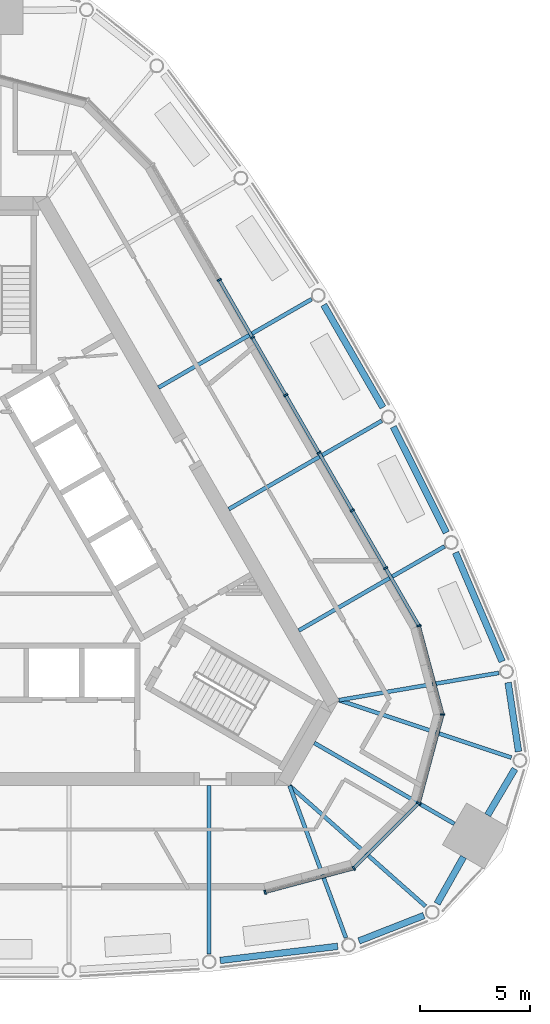
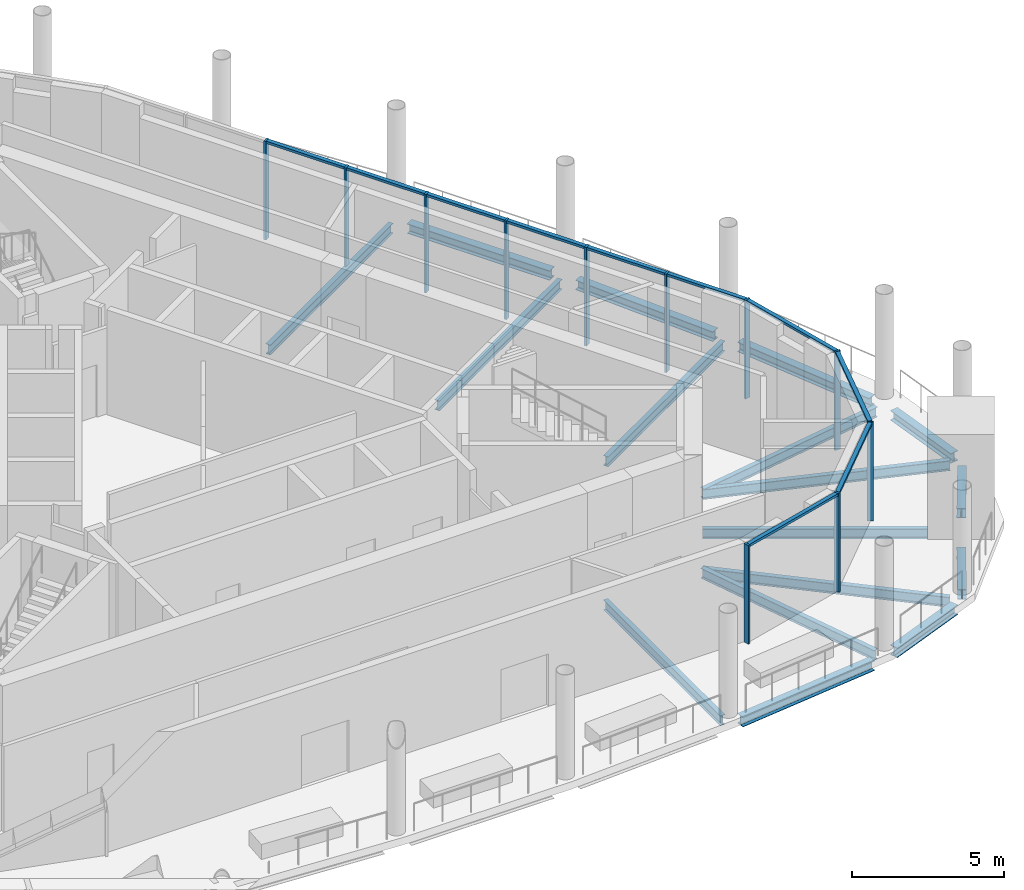
# One storey, part 3 of 15: 21 members, 17 beams, 2 elements without a shape of their own.
"""IFC4 building model written with IfcOpenShell, lengths in metres."""

import ifcopenshell
import ifcopenshell.guid

model = None  # the IFC model being written
_history = None  # IfcOwnerHistory: only IFC2X3 demands one
_inside = {}  # id of a spatial element -> (the spatial element, [elements in it])
_under = {}  # id of a project, library or spatial element -> (it, [spatial elements below it])
_declared = {}  # id of a project -> (the project, [libraries it declares])
_typed = {}  # id of a type object -> (the type object, [elements of that type])
_made_of = {}  # id of a material, layer set ... -> (it, [elements and type objects made of it])


def new_model(schema):
    """Start an empty IFC model of exactly this schema.

    Asked for "IFC4X3", IfcOpenShell would pick the latest addendum, in which some entities
    have other attributes; the version numbers below select the first issue.
    IFC2X3 requires an IfcOwnerHistory on every rooted entity: one is made here for all.
    """
    global model, _history
    if schema == "IFC4X3":
        model = ifcopenshell.file(schema_version=(4, 3, 0, 0))
    else:
        model = ifcopenshell.file(schema=schema)
    _inside.clear()
    _under.clear()
    _declared.clear()
    _typed.clear()
    _made_of.clear()
    _history = None
    if model.schema == "IFC2X3":
        org = make("IfcOrganization", Name="unknown")
        user = make(
            "IfcPersonAndOrganization",
            ThePerson=make("IfcPerson", FamilyName="unknown"),
            TheOrganization=org,
        )
        app = make(
            "IfcApplication",
            ApplicationDeveloper=org,
            Version="unknown",
            ApplicationFullName="unknown",
            ApplicationIdentifier="unknown",
        )
        _history = make(
            "IfcOwnerHistory",
            OwningUser=user,
            OwningApplication=app,
            ChangeAction="ADDED",
            CreationDate=0,
        )
    return model


def make(cls, **values):
    """One entity of the class cls with the attributes given. An attribute that is None is left unset."""
    return model.create_entity(
        cls, **{name: value for name, value in values.items() if value is not None}
    )


def rooted(cls, **values):
    """An entity with a GlobalId (a new one), such as an element, a storey or a relation."""
    return make(cls, GlobalId=ifcopenshell.guid.new(), OwnerHistory=_history, **values)


def si_unit(unit_type, name, prefix=None):
    """IfcSIUnit, for example si_unit("LENGTHUNIT", "METRE", prefix="MILLI")."""
    return make("IfcSIUnit", UnitType=unit_type, Prefix=prefix, Name=name)


def assignment(units):
    """IfcUnitAssignment: the units of a project."""
    return None if units is None else make("IfcUnitAssignment", Units=units)


def point(xyz):
    """IfcCartesianPoint."""
    return None if xyz is None else make("IfcCartesianPoint", Coordinates=xyz)


def direction(xyz):
    """IfcDirection."""
    return None if xyz is None else make("IfcDirection", DirectionRatios=xyz)


def frame(location, z_axis=None, x_axis=None):
    """IfcAxis2Placement3D, a coordinate frame: its origin and axes. An axis left out is left unset."""
    return make(
        "IfcAxis2Placement3D",
        Location=point(location),
        Axis=direction(z_axis),
        RefDirection=direction(x_axis),
    )


def frame_2d(location, x_axis=None):
    """IfcAxis2Placement2D, a coordinate frame in the plane: its origin and x axis."""
    return make(
        "IfcAxis2Placement2D", Location=point(location), RefDirection=direction(x_axis)
    )


def origin():
    """The frame at (0, 0, 0) with its axes left unset."""
    return frame((0.0, 0.0, 0.0))


def origin_2d():
    """The frame at (0, 0) in the plane with its x axis left unset."""
    return frame_2d((0.0, 0.0))


def place(relative_to, where):
    """IfcLocalPlacement: puts the frame where relative to a parent placement (None: the world)."""
    return make(
        "IfcLocalPlacement", PlacementRelTo=relative_to, RelativePlacement=where
    )


def context(
    kind, dimensions, precision=None, world=None, true_north=None, identifier=None
):
    """IfcGeometricRepresentationContext, for example the 3D "Model" context."""
    return make(
        "IfcGeometricRepresentationContext",
        ContextIdentifier=identifier,
        ContextType=kind,
        CoordinateSpaceDimension=dimensions,
        Precision=precision,
        WorldCoordinateSystem=world,
        TrueNorth=true_north,
    )


def subcontext(parent, identifier, kind, view, scale=None):
    """IfcGeometricRepresentationSubContext, for example "Body" below "Model"."""
    return make(
        "IfcGeometricRepresentationSubContext",
        ContextIdentifier=identifier,
        ContextType=kind,
        ParentContext=parent,
        TargetScale=scale,
        TargetView=view,
    )


def project(units=None, contexts=None):
    """IfcProject with its units and contexts."""
    return rooted(
        "IfcProject",
        Name="project",
        RepresentationContexts=contexts,
        UnitsInContext=assignment(units),
    )


def spatial(cls, under=None, at=None, **own):
    """A site, building, storey or space (cls), placed at a placement, below another one or the project."""
    s = rooted(cls, ObjectPlacement=at, **own)
    if under is not None:
        _under.setdefault(under.id(), (under, []))[1].append(s)
    return s


def profile(cls, at=None, kind="AREA", **sizes):
    """A parametric profile (cls). Its sizes go by their IFC names, for example OverallWidth=200.0."""
    return make(cls, ProfileType=kind, Position=at, **sizes)


def rectangle(**sizes):
    """IfcRectangleProfileDef."""
    return profile("IfcRectangleProfileDef", **sizes)


def i_section(**sizes):
    """IfcIShapeProfileDef."""
    return profile("IfcIShapeProfileDef", **sizes)


def extrude(swept, where, along, depth):
    """IfcExtrudedAreaSolid: the profile swept, set in the frame where, extruded along a direction by depth."""
    return make(
        "IfcExtrudedAreaSolid",
        SweptArea=swept,
        Position=where,
        ExtrudedDirection=direction(along),
        Depth=depth,
    )


def shape(context_of_items, identifier, shape_type, items):
    """IfcShapeRepresentation: the items that make up one representation, for example the "Body"."""
    return make(
        "IfcShapeRepresentation",
        ContextOfItems=context_of_items,
        RepresentationIdentifier=identifier,
        RepresentationType=shape_type,
        Items=items,
    )


def material(Name=None, Category=None):
    """IfcMaterial."""
    return make("IfcMaterial", Name=Name, Category=Category)


def material_profile(
    of_material, cross_section, Name=None, Category=None, Priority=None
):
    """IfcMaterialProfile: a cross section and its material."""
    return make(
        "IfcMaterialProfile",
        Name=Name,
        Material=of_material,
        Profile=cross_section,
        Priority=Priority,
        Category=Category,
    )


def profile_set(profiles, Name=None, composite=None):
    """IfcMaterialProfileSet."""
    return make(
        "IfcMaterialProfileSet",
        Name=Name,
        MaterialProfiles=profiles,
        CompositeProfile=composite,
    )


def made_of(thing, what):
    """Note that an element or type object is made of a material, layer set ...; save() writes the relation."""
    if what is not None:
        _made_of.setdefault(what.id(), (what, []))[1].append(thing)
    return thing


def type_object(cls, material=None, **own):
    """A type object (cls), such as IfcWallType, which elements share."""
    return made_of(rooted(cls, **own), material)


def element(
    cls,
    number,
    at=None,
    inside=None,
    cuts=None,
    type_object=None,
    material=None,
    context=None,
    identifier="Body",
    shape_type=None,
    held_by="IfcProductDefinitionShape",
    body=None,
    shapes=None,
    **own,
):
    """One element of the class cls, such as IfcWall. Its Tag is "e" and its number.

    at: its placement. inside: the storey or other place that contains it. cuts: it is an
    opening in that element (IfcRelVoidsElement). A single representation is given by context,
    identifier, shape_type and body (its items); several are given by shapes. held_by: the class
    of the entity that holds the representations. save() writes the other relations.
    """
    e = rooted(cls, Tag="e%d" % number, ObjectPlacement=at, **own)
    if body is not None:
        shapes = [shape(context, identifier, shape_type, body)]
    if shapes is not None:
        e.Representation = make(held_by, Representations=shapes)
    if inside is not None:
        _inside.setdefault(inside.id(), (inside, []))[1].append(e)
    if cuts is not None:
        rooted(
            "IfcRelVoidsElement", RelatingBuildingElement=cuts, RelatedOpeningElement=e
        )
    if type_object is not None:
        _typed.setdefault(type_object.id(), (type_object, []))[1].append(e)
    return made_of(e, material)


def aggregate(whole, parts):
    """IfcRelAggregates: a whole, such as a stair, and the parts it consists of."""
    return rooted("IfcRelAggregates", RelatingObject=whole, RelatedObjects=parts)


def save(model, path):
    """Write the relations noted so far, then the file.

    IfcRelAggregates (storeys below a building ...), IfcRelContainedInSpatialStructure (elements
    in a storey), IfcRelDefinesByType, IfcRelAssociatesMaterial and IfcRelDeclares: one each for
    every whole, place, type object, material and project.
    """
    for whole, parts in _under.values():
        aggregate(whole, parts)
    for where, things in _inside.values():
        rooted(
            "IfcRelContainedInSpatialStructure",
            RelatedElements=things,
            RelatingStructure=where,
        )
    for kind, things in _typed.values():
        rooted("IfcRelDefinesByType", RelatedObjects=things, RelatingType=kind)
    for what, things in _made_of.values():
        rooted("IfcRelAssociatesMaterial", RelatedObjects=things, RelatingMaterial=what)
    for by, libraries in _declared.values():
        rooted("IfcRelDeclares", RelatingContext=by, RelatedDefinitions=libraries)
    model.write(path)


model = new_model("IFC4")

# Units and contexts
model_context = context("Model", 3, precision=1e-05, world=origin(), true_north=direction((0.0, 1.0)))
body_context = subcontext(model_context, "Body", "Model", "MODEL_VIEW")
ifc_project = project(units=[si_unit("LENGTHUNIT", "METRE"), si_unit("AREAUNIT", "SQUARE_METRE"), si_unit("VOLUMEUNIT", "CUBIC_METRE"), si_unit("PLANEANGLEUNIT", "RADIAN"), si_unit("MASSUNIT", "GRAM", prefix="KILO")], contexts=[model_context])

# Site, building, storey
site_placement = place(None, origin())
site = spatial("IfcSite", under=ifc_project, at=site_placement, CompositionType="ELEMENT")
building_placement = place(site_placement, origin())
building = spatial("IfcBuilding", under=site, at=building_placement, Name="Mestral Congress Tower", CompositionType="ELEMENT")
storey_placement = place(building_placement, frame((0.0, 0.0, 327.60009765625)))
storey = spatial("IfcBuildingStorey", under=building, at=storey_placement, Name="L76", CompositionType="ELEMENT", Elevation=327.60009765625)

# Curtain wall, members
ifc_material_1 = material(Name="Glazed ceramic", Category="masonry")
curtain_wall_type = type_object("IfcCurtainWallType", Name="Facade plant louvre screen", PredefinedType="USERDEFINED", material=ifc_material_1)
placement = place(storey_placement, origin())
curtain_wall_1 = element("IfcCurtainWall", 1, at=placement, inside=storey, type_object=curtain_wall_type, Name="Plant louvre screen corner 1", ObjectType="CURTAIN WALL", PredefinedType="USERDEFINED")
ifc_material_2 = material(Name="Anodised aluminium", Category="aluminium")
ifc_material_profile_1 = material_profile(ifc_material_2, rectangle(XDim=0.199951171875, YDim=0.080078125, at=origin_2d()), Name="CW6 mullion 200 x 80")
ifc_profile_set_1 = profile_set([ifc_material_profile_1], Name="Anodised aluminium")
member_type_1 = type_object("IfcMemberType", Name="Facade plant louvre screen mullion", PredefinedType="MULLION", material=ifc_profile_set_1)
member_1_placement = place(storey_placement, frame((12.1376953125, -15.10009765625, 0.0), z_axis=(0.0, 0.0, 1.0), x_axis=(0.258819045103, -0.965925826289, 0.0)))
member_1 = element("IfcMember", 2, at=member_1_placement, type_object=member_type_1, Name="Facade plant louvre screen mullion", PredefinedType="MULLION", context=body_context, shape_type="SweptSolid", body=[
    extrude(rectangle(XDim=0.199951171875, YDim=0.080078125, at=origin_2d()), origin(), (0.0, 0.0, 1.0), 3.949951171875),
])
member_2_placement = place(storey_placement, frame((16.17626953125, -14.017822265625, 0.0), z_axis=(0.0, 0.0, 1.0), x_axis=(0.5, -0.866025403784, 0.0)))
member_2 = element("IfcMember", 3, at=member_2_placement, type_object=member_type_1, Name="Facade plant louvre screen mullion", PredefinedType="MULLION", context=body_context, shape_type="SweptSolid", body=[
    extrude(rectangle(XDim=0.199951171875, YDim=0.080078125, at=origin_2d()), origin(), (0.0, 0.0, 1.0), 3.949951171875),
])
member_3_placement = place(storey_placement, frame((19.142333984375, -11.0517578125, 0.0), z_axis=(0.0, 0.0, 1.0), x_axis=(0.866025403784, -0.5, 0.0)))
member_3 = element("IfcMember", 4, at=member_3_placement, type_object=member_type_1, Name="Facade plant louvre screen mullion", PredefinedType="MULLION", context=body_context, shape_type="SweptSolid", body=[
    extrude(rectangle(XDim=0.199951171875, YDim=0.080078125, at=origin_2d()), origin(), (0.0, 0.0, 1.0), 3.949951171875),
])
member_4_placement = place(storey_placement, frame((20.227783203125, -7.0, 0.0), z_axis=(0.0, 0.0, 1.0), x_axis=(1.0, 0.0, 0.0)))
member_4 = element("IfcMember", 5, at=member_4_placement, type_object=member_type_1, Name="Facade plant louvre screen mullion", PredefinedType="MULLION", context=body_context, shape_type="SweptSolid", body=[
    extrude(rectangle(XDim=0.199951171875, YDim=0.080078125, at=origin_2d()), origin(), (0.0, 0.0, 1.0), 3.949951171875),
])
member_5_placement = place(storey_placement, frame((19.145751953125, -2.96142578125, 0.0), z_axis=(0.0, 0.0, 1.0), x_axis=(0.965925826289, 0.258819045103, 0.0)))
member_5 = element("IfcMember", 6, at=member_5_placement, type_object=member_type_1, Name="Facade plant louvre screen mullion", PredefinedType="MULLION", context=body_context, shape_type="SweptSolid", body=[
    extrude(rectangle(XDim=0.199951171875, YDim=0.080078125, at=origin_2d()), origin(), (0.0, 0.0, 1.0), 3.949951171875),
])

curtain_wall_2 = element("IfcCurtainWall", 7, at=placement, inside=storey, type_object=curtain_wall_type, Name="Plant louvre screen side 2", ObjectType="CURTAIN WALL", PredefinedType="USERDEFINED")
member_6_placement = place(storey_placement, frame((17.628662109375, -0.33349609375, 0.0), z_axis=(0.0, 0.0, 1.0), x_axis=(0.866024531118, 0.500001511499, 0.0)))
member_6 = element("IfcMember", 8, at=member_6_placement, type_object=member_type_1, Name="Facade plant louvre screen mullion", PredefinedType="MULLION", context=body_context, shape_type="SweptSolid", body=[
    extrude(rectangle(XDim=0.199951171875, YDim=0.080078125, at=origin_2d()), origin(), (0.0, 0.0, 1.0), 3.949951171875),
])
member_7_placement = place(storey_placement, frame((16.111328125, 2.294189453125, 0.0), z_axis=(0.0, 0.0, 1.0), x_axis=(0.866024531118, 0.500001511499, 0.0)))
member_7 = element("IfcMember", 9, at=member_7_placement, type_object=member_type_1, Name="Facade plant louvre screen mullion", PredefinedType="MULLION", context=body_context, shape_type="SweptSolid", body=[
    extrude(rectangle(XDim=0.199951171875, YDim=0.080078125, at=origin_2d()), origin(), (0.0, 0.0, 1.0), 3.949951171875),
])
member_8_placement = place(storey_placement, frame((14.59423828125, 4.922119140625, 0.0), z_axis=(0.0, 0.0, 1.0), x_axis=(0.866024531118, 0.500001511499, 0.0)))
member_8 = element("IfcMember", 10, at=member_8_placement, type_object=member_type_1, Name="Facade plant louvre screen mullion", PredefinedType="MULLION", context=body_context, shape_type="SweptSolid", body=[
    extrude(rectangle(XDim=0.199951171875, YDim=0.080078125, at=origin_2d()), origin(), (0.0, 0.0, 1.0), 3.949951171875),
])
member_9_placement = place(storey_placement, frame((13.076904296875, 7.550048828125, 0.0), z_axis=(0.0, 0.0, 1.0), x_axis=(0.866024531118, 0.500001511499, 0.0)))
member_9 = element("IfcMember", 11, at=member_9_placement, type_object=member_type_1, Name="Facade plant louvre screen mullion", PredefinedType="MULLION", context=body_context, shape_type="SweptSolid", body=[
    extrude(rectangle(XDim=0.199951171875, YDim=0.080078125, at=origin_2d()), origin(), (0.0, 0.0, 1.0), 3.949951171875),
])
member_10_placement = place(storey_placement, frame((11.559814453125, 10.177978515625, 0.0), z_axis=(0.0, 0.0, 1.0), x_axis=(0.866024531118, 0.500001511499, 0.0)))
member_10 = element("IfcMember", 12, at=member_10_placement, type_object=member_type_1, Name="Facade plant louvre screen mullion", PredefinedType="MULLION", context=body_context, shape_type="SweptSolid", body=[
    extrude(rectangle(XDim=0.199951171875, YDim=0.080078125, at=origin_2d()), origin(), (0.0, 0.0, 1.0), 3.949951171875),
])
member_11_placement = place(storey_placement, frame((10.04248046875, 12.8056640625, 0.0), z_axis=(0.0, 0.0, 1.0), x_axis=(0.866024531118, 0.500001511499, 0.0)))
member_11 = element("IfcMember", 13, at=member_11_placement, type_object=member_type_1, Name="Facade plant louvre screen mullion", PredefinedType="MULLION", context=body_context, shape_type="SweptSolid", body=[
    extrude(rectangle(XDim=0.199951171875, YDim=0.080078125, at=origin_2d()), origin(), (0.0, 0.0, 1.0), 3.949951171875),
])

# Member
ifc_material_profile_2 = material_profile(ifc_material_2, rectangle(XDim=0.14990234375, YDim=0.10009765625, at=origin_2d()), Name="CW6 transom 150 x 100")
ifc_profile_set_2 = profile_set([ifc_material_profile_2], Name="Anodised aluminium")
member_type_2 = type_object("IfcMemberType", Name="Facade plant louvre screen transom", PredefinedType="USERDEFINED", material=ifc_profile_set_2)
member_12_placement = place(storey_placement, frame((12.17626953125, -15.089599609375, 3.89990234375), z_axis=(0.965932905177, 0.258792624888, 0.0), x_axis=(-0.258792624888, 0.965932905177, 0.0)))
member_12 = element("IfcMember", 14, at=member_12_placement, type_object=member_type_2, Name="Facade plant louvre screen transom", ObjectType="TRANSOM", PredefinedType="USERDEFINED", context=body_context, shape_type="SweptSolid", body=[
    extrude(rectangle(XDim=0.14990234375, YDim=0.10009765625, at=origin_2d()), origin(), (0.0, 0.0, 1.0), 4.100830078125),
])

member_13_placement = place(storey_placement, frame((16.204345703125, -13.989501953125, 3.89990234375), z_axis=(0.707136447306, 0.707077113823, 0.0), x_axis=(-0.707077113823, 0.707136447306, 0.0)))
member_13 = element("IfcMember", 15, at=member_13_placement, type_object=member_type_2, Name="Facade plant louvre screen transom", ObjectType="TRANSOM", PredefinedType="USERDEFINED", context=body_context, shape_type="SweptSolid", body=[
    extrude(rectangle(XDim=0.14990234375, YDim=0.10009765625, at=origin_2d()), origin(), (0.0, 0.0, 1.0), 4.11474609375),
])

member_14_placement = place(storey_placement, frame((19.152587890625, -11.01318359375, 3.89990234375), z_axis=(0.258807262034, 0.965928983476, 0.0), x_axis=(-0.965928983476, 0.258807262034, 0.0)))
member_14 = element("IfcMember", 16, at=member_14_placement, type_object=member_type_2, Name="Facade plant louvre screen transom", ObjectType="TRANSOM", PredefinedType="USERDEFINED", context=body_context, shape_type="SweptSolid", body=[
    extrude(rectangle(XDim=0.14990234375, YDim=0.10009765625, at=origin_2d()), origin(), (0.0, 0.0, 1.0), 4.11474609375),
])

member_15_placement = place(storey_placement, frame((20.217529296875, -6.96142578125, 3.89990234375), z_axis=(-0.258833286133, 0.965922010304, 0.0), x_axis=(-0.965922010304, -0.258833286133, 0.0)))
member_15 = element("IfcMember", 17, at=member_15_placement, type_object=member_type_2, Name="Facade plant louvre screen transom", ObjectType="TRANSOM", PredefinedType="USERDEFINED", context=body_context, shape_type="SweptSolid", body=[
    extrude(rectangle(XDim=0.14990234375, YDim=0.10009765625, at=origin_2d()), origin(), (0.0, 0.0, 1.0), 4.10107421875),
])

aggregate(curtain_wall_1, [member_1, member_2, member_3, member_4, member_5, member_12, member_13, member_14, member_15])

member_16_placement = place(storey_placement, frame((19.125732421875, -2.9267578125, 3.89990234375), z_axis=(-0.499960902066, 0.86604797581, 0.0), x_axis=(-0.86604797581, -0.499960902066, 0.0)))
member_16 = element("IfcMember", 18, at=member_16_placement, type_object=member_type_2, Name="Facade plant louvre screen transom", ObjectType="TRANSOM", PredefinedType="USERDEFINED", context=body_context, shape_type="SweptSolid", body=[
    extrude(rectangle(XDim=0.14990234375, YDim=0.10009765625, at=origin_2d()), origin(), (0.0, 0.0, 1.0), 2.954345703125),
])

member_17_placement = place(storey_placement, frame((17.608642578125, -0.298828125, 3.89990234375), z_axis=(-0.50002288008, 0.866012193561, 0.0), x_axis=(-0.866012193561, -0.50002288008, 0.0)))
member_17 = element("IfcMember", 19, at=member_17_placement, type_object=member_type_2, Name="Facade plant louvre screen transom", ObjectType="TRANSOM", PredefinedType="USERDEFINED", context=body_context, shape_type="SweptSolid", body=[
    extrude(rectangle(XDim=0.14990234375, YDim=0.10009765625, at=origin_2d()), origin(), (0.0, 0.0, 1.0), 2.954345703125),
])

member_18_placement = place(storey_placement, frame((16.09130859375, 2.328857421875, 3.89990234375), z_axis=(-0.499960902066, 0.86604797581, 0.0), x_axis=(-0.86604797581, -0.499960902066, 0.0)))
member_18 = element("IfcMember", 20, at=member_18_placement, type_object=member_type_2, Name="Facade plant louvre screen transom", ObjectType="TRANSOM", PredefinedType="USERDEFINED", context=body_context, shape_type="SweptSolid", body=[
    extrude(rectangle(XDim=0.14990234375, YDim=0.10009765625, at=origin_2d()), origin(), (0.0, 0.0, 1.0), 2.954345703125),
])

member_19_placement = place(storey_placement, frame((14.57421875, 4.956787109375, 3.89990234375), z_axis=(-0.50002288008, 0.866012193561, 0.0), x_axis=(-0.866012193561, -0.50002288008, 0.0)))
member_19 = element("IfcMember", 21, at=member_19_placement, type_object=member_type_2, Name="Facade plant louvre screen transom", ObjectType="TRANSOM", PredefinedType="USERDEFINED", context=body_context, shape_type="SweptSolid", body=[
    extrude(rectangle(XDim=0.14990234375, YDim=0.10009765625, at=origin_2d()), origin(), (0.0, 0.0, 1.0), 2.954345703125),
])

member_20_placement = place(storey_placement, frame((13.056884765625, 7.584716796875, 3.89990234375), z_axis=(-0.499960902066, 0.86604797581, 0.0), x_axis=(-0.86604797581, -0.499960902066, 0.0)))
member_20 = element("IfcMember", 22, at=member_20_placement, type_object=member_type_2, Name="Facade plant louvre screen transom", ObjectType="TRANSOM", PredefinedType="USERDEFINED", context=body_context, shape_type="SweptSolid", body=[
    extrude(rectangle(XDim=0.14990234375, YDim=0.10009765625, at=origin_2d()), origin(), (0.0, 0.0, 1.0), 2.954345703125),
])

member_21_placement = place(storey_placement, frame((11.539794921875, 10.21240234375, 3.89990234375), z_axis=(-0.50002288008, 0.866012193561, 0.0), x_axis=(-0.866012193561, -0.50002288008, 0.0)))
member_21 = element("IfcMember", 23, at=member_21_placement, type_object=member_type_2, Name="Facade plant louvre screen transom", ObjectType="TRANSOM", PredefinedType="USERDEFINED", context=body_context, shape_type="SweptSolid", body=[
    extrude(rectangle(XDim=0.14990234375, YDim=0.10009765625, at=origin_2d()), origin(), (0.0, 0.0, 1.0), 2.954345703125),
])

aggregate(curtain_wall_2, [member_6, member_7, member_8, member_9, member_10, member_11, member_16, member_17, member_18, member_19, member_20, member_21])

# Beams
ifc_material_3 = material(Name="Steel S355", Category="steel")
ifc_material_profile_3 = material_profile(ifc_material_3, i_section(OverallWidth=0.179931640625, OverallDepth=0.39990234375, WebThickness=0.008544921875, FlangeThickness=0.013427734375, FilletRadius=0.02099609375, at=origin_2d()), Name="IPE 400")
ifc_profile_set_3 = profile_set([ifc_material_profile_3], Name="Steel S355")
beam_type_1 = type_object("IfcBeamType", Name="Floor beam IPE 400 S355", PredefinedType="BEAM", material=ifc_profile_set_3)
beam_1_placement = place(storey_placement, frame((9.587158203125, -17.92236328125, -0.5), z_axis=(0.0, 1.0, 0.0), x_axis=(-1.0, 0.0, 0.0)))
element("IfcBeam", 24, at=beam_1_placement, inside=storey, type_object=beam_type_1, Name="BM-L76-RB5-S04", PredefinedType="BEAM", context=body_context, shape_type="SweptSolid", body=[
    extrude(i_section(OverallWidth=0.179931640625, OverallDepth=0.39990234375, WebThickness=0.008544921875, FlangeThickness=0.013427734375, FilletRadius=0.02099609375, at=origin_2d()), origin(), (0.0, 0.0, 1.0), 7.67236328125),
])
beam_2_placement = place(storey_placement, frame((15.81787109375, -17.1806640625, -0.5), z_axis=(-0.347399345496, 0.937717278687, 0.0), x_axis=(-0.937717278687, -0.347399345496, 0.0)))
element("IfcBeam", 25, at=beam_2_placement, inside=storey, type_object=beam_type_1, Name="BM-L76-RB5-S05", PredefinedType="BEAM", context=body_context, shape_type="SweptSolid", body=[
    extrude(i_section(OverallWidth=0.179931640625, OverallDepth=0.39990234375, WebThickness=0.008544921875, FlangeThickness=0.013427734375, FilletRadius=0.02099609375, at=origin_2d()), origin(), (0.0, 0.0, 1.0), 7.39111328125),
])
beam_3_placement = place(storey_placement, frame((19.44580078125, -15.742919921875, -0.5), z_axis=(-0.74826277439, 0.663402457383, 0.0), x_axis=(-0.663402457383, -0.74826277439, 0.0)))
element("IfcBeam", 26, at=beam_3_placement, inside=storey, type_object=beam_type_1, Name="BM-L76-RB5-SE1", PredefinedType="BEAM", context=body_context, shape_type="SweptSolid", body=[
    extrude(i_section(OverallWidth=0.179931640625, OverallDepth=0.39990234375, WebThickness=0.008544921875, FlangeThickness=0.013427734375, FilletRadius=0.02099609375, at=origin_2d()), origin(), (0.0, 0.0, 1.0), 8.280029296875),
])
beam_4_placement = place(storey_placement, frame((20.765625, -11.989013671875, -0.5), z_axis=(-0.866031296205, 0.499989793889, 0.0), x_axis=(-0.499989793889, -0.866031296205, 0.0)))
element("IfcBeam", 27, at=beam_4_placement, inside=storey, type_object=beam_type_1, Name="BM-L76-RB5-SE", PredefinedType="BEAM", context=body_context, shape_type="SweptSolid", body=[
    extrude(i_section(OverallWidth=0.179931640625, OverallDepth=0.39990234375, WebThickness=0.008544921875, FlangeThickness=0.013427734375, FilletRadius=0.02099609375, at=origin_2d()), origin(), (0.0, 0.0, 1.0), 7.378173828125),
])
beam_5_placement = place(storey_placement, frame((23.356689453125, -8.968994140625, -0.5), z_axis=(-0.948659706446, 0.316298532031, 0.0), x_axis=(-0.316298532031, -0.948659706446, 0.0)))
element("IfcBeam", 28, at=beam_5_placement, inside=storey, type_object=beam_type_1, Name="BM-L76-RB5-SE3", PredefinedType="BEAM", context=body_context, shape_type="SweptSolid", body=[
    extrude(i_section(OverallWidth=0.179931640625, OverallDepth=0.39990234375, WebThickness=0.008544921875, FlangeThickness=0.013427734375, FilletRadius=0.02099609375, at=origin_2d()), origin(), (0.0, 0.0, 1.0), 8.27978515625),
])
beam_6_placement = place(storey_placement, frame((22.787841796875, -5.1083984375, -0.5), z_axis=(-0.985786503242, -0.168002886958, 0.0), x_axis=(0.168002886958, -0.985786503242, 0.0)))
element("IfcBeam", 29, at=beam_6_placement, inside=storey, type_object=beam_type_1, Name="BM-L76-RB5-E00", PredefinedType="BEAM", context=body_context, shape_type="SweptSolid", body=[
    extrude(i_section(OverallWidth=0.179931640625, OverallDepth=0.39990234375, WebThickness=0.008544921875, FlangeThickness=0.013427734375, FilletRadius=0.02099609375, at=origin_2d()), origin(), (0.0, 0.0, 1.0), 7.390869140625),
])
beam_7_placement = place(storey_placement, frame((20.314697265625, 0.658447265625, -0.5), z_axis=(-0.866019720907, -0.500009842903, 0.0), x_axis=(0.500009842903, -0.866019720907, 0.0)))
element("IfcBeam", 30, at=beam_7_placement, inside=storey, type_object=beam_type_1, Name="BM-L76-RB5-E01", PredefinedType="BEAM", context=body_context, shape_type="SweptSolid", body=[
    extrude(i_section(OverallWidth=0.179931640625, OverallDepth=0.39990234375, WebThickness=0.008544921875, FlangeThickness=0.013427734375, FilletRadius=0.02099609375, at=origin_2d()), origin(), (0.0, 0.0, 1.0), 7.672119140625),
])
for number, where, z_axis, x_axis, name in (
    (31, (17.452392578125, 6.381591796875, -0.5), (-0.866020537834, -0.500008427979, 0.0), (0.500008427979, -0.866020537834, 0.0), "BM-L76-RB5-E02"),
    (32, (14.2529296875, 11.92333984375, -0.5), (-0.866033662086, -0.499985695929, 0.0), (0.499985695929, -0.866033662086, 0.0), "BM-L76-RB5-E03"),
):
    element("IfcBeam", number, at=place(storey_placement, frame(where, z_axis=z_axis, x_axis=x_axis)), inside=storey, type_object=beam_type_1, Name=name, PredefinedType="BEAM", context=body_context, shape_type="SweptSolid", body=[
        extrude(i_section(OverallWidth=0.179931640625, OverallDepth=0.39990234375, WebThickness=0.008544921875, FlangeThickness=0.013427734375, FilletRadius=0.02099609375, at=origin_2d()), origin(), (0.0, 0.0, 1.0), 8.054931640625),
    ])
ifc_material_profile_4 = material_profile(ifc_material_3, i_section(OverallWidth=0.300048828125, OverallDepth=0.389892578125, WebThickness=0.010986328125, FlangeThickness=0.01904296875, FilletRadius=0.027099609375, at=origin_2d()), Name="HEA 400")
ifc_profile_set_4 = profile_set([ifc_material_profile_4], Name="Steel S355")
beam_type_2 = type_object("IfcBeamType", Name="Spandrel beam HEA 400 S355", PredefinedType="BEAM", material=ifc_profile_set_4)
beam_8_placement = place(storey_placement, frame((10.083984375, -18.214111328125, -0.4951171875), z_axis=(0.992890319222, 0.119032827389, 0.0), x_axis=(-0.119032827389, 0.992890319222, 0.0)))
element("IfcBeam", 33, at=beam_8_placement, inside=storey, type_object=beam_type_2, Name="SP-L76-SB5-S04", PredefinedType="BEAM", context=body_context, shape_type="SweptSolid", body=[
    extrude(i_section(OverallWidth=0.300048828125, OverallDepth=0.389892578125, WebThickness=0.010986328125, FlangeThickness=0.01904296875, FilletRadius=0.027099609375, at=origin_2d()), origin(), (0.0, 0.0, 1.0), 5.396240234375),
])
beam_9_placement = place(storey_placement, frame((16.411865234375, -17.3271484375, -0.4951171875), z_axis=(0.930980873283, 0.365067957485, 0.0), x_axis=(-0.365067957485, 0.930980873283, 0.0)))
element("IfcBeam", 34, at=beam_9_placement, inside=storey, type_object=beam_type_2, Name="SP-L76-SB5-S05", PredefinedType="BEAM", context=body_context, shape_type="SweptSolid", body=[
    extrude(i_section(OverallWidth=0.300048828125, OverallDepth=0.389892578125, WebThickness=0.010986328125, FlangeThickness=0.01904296875, FilletRadius=0.027099609375, at=origin_2d()), origin(), (0.0, 0.0, 1.0), 3.179931640625),
])
beam_10_placement = place(storey_placement, frame((19.9736328125, -15.628173828125, -0.4951171875), z_axis=(0.491728558518, 0.870748542771, 0.0), x_axis=(-0.870748542771, 0.491728558518, 0.0)))
element("IfcBeam", 35, at=beam_10_placement, inside=storey, type_object=beam_type_2, Name="SP-L76-SB5-SE1", PredefinedType="BEAM", context=body_context, shape_type="SweptSolid", body=[
    extrude(i_section(OverallWidth=0.300048828125, OverallDepth=0.389892578125, WebThickness=0.010986328125, FlangeThickness=0.01904296875, FilletRadius=0.027099609375, at=origin_2d()), origin(), (0.0, 0.0, 1.0), 2.44775390625),
])
beam_11_placement = place(storey_placement, frame((22.27734375, -11.591552734375, -0.4951171875), z_axis=(0.508218412694, 0.861228218882, 0.0), x_axis=(-0.861228218882, 0.508218412694, 0.0)))
element("IfcBeam", 36, at=beam_11_placement, inside=storey, type_object=beam_type_2, Name="SP-L76-SB5-SE", PredefinedType="BEAM", context=body_context, shape_type="SweptSolid", body=[
    extrude(i_section(OverallWidth=0.300048828125, OverallDepth=0.389892578125, WebThickness=0.010986328125, FlangeThickness=0.01904296875, FilletRadius=0.027099609375, at=origin_2d()), origin(), (0.0, 0.0, 1.0), 2.447509765625),
])
beam_12_placement = place(storey_placement, frame((23.686767578125, -8.69384765625, -0.4951171875), z_axis=(-0.149402818736, 0.98877641444, 0.0), x_axis=(-0.98877641444, -0.149402818736, 0.0)))
element("IfcBeam", 37, at=beam_12_placement, inside=storey, type_object=beam_type_2, Name="SP-L76-SB5-SE3", PredefinedType="BEAM", context=body_context, shape_type="SweptSolid", body=[
    extrude(i_section(OverallWidth=0.300048828125, OverallDepth=0.389892578125, WebThickness=0.010986328125, FlangeThickness=0.01904296875, FilletRadius=0.027099609375, at=origin_2d()), origin(), (0.0, 0.0, 1.0), 3.179931640625),
])
beam_13_placement = place(storey_placement, frame((22.9384765625, -4.587158203125, -0.4951171875), z_axis=(-0.393367759324, 0.919381208164, 0.0), x_axis=(-0.919381208164, -0.393367759324, 0.0)))
element("IfcBeam", 38, at=beam_13_placement, inside=storey, type_object=beam_type_2, Name="SP-L76-SB5-E00", PredefinedType="BEAM", context=body_context, shape_type="SweptSolid", body=[
    extrude(i_section(OverallWidth=0.300048828125, OverallDepth=0.389892578125, WebThickness=0.010986328125, FlangeThickness=0.01904296875, FilletRadius=0.027099609375, at=origin_2d()), origin(), (0.0, 0.0, 1.0), 5.396484375),
])
beam_14_placement = place(storey_placement, frame((20.395263671875, 1.281494140625, -0.4951171875), z_axis=(-0.44748491494, 0.894291479832, 0.0), x_axis=(-0.894291479832, -0.44748491494, 0.0)))
element("IfcBeam", 39, at=beam_14_placement, inside=storey, type_object=beam_type_2, Name="SP-L76-SB5-E01", PredefinedType="BEAM", context=body_context, shape_type="SweptSolid", body=[
    extrude(i_section(OverallWidth=0.300048828125, OverallDepth=0.389892578125, WebThickness=0.010986328125, FlangeThickness=0.01904296875, FilletRadius=0.027099609375, at=origin_2d()), origin(), (0.0, 0.0, 1.0), 5.3984375),
])
beam_15_placement = place(storey_placement, frame((17.505615234375, 6.989990234375, -0.4951171875), z_axis=(-0.500025177812, 0.86601086688, 0.0), x_axis=(-0.86601086688, -0.500025177812, 0.0)))
element("IfcBeam", 40, at=beam_15_placement, inside=storey, type_object=beam_type_2, Name="SP-L76-SB5-E02", PredefinedType="BEAM", context=body_context, shape_type="SweptSolid", body=[
    extrude(i_section(OverallWidth=0.300048828125, OverallDepth=0.389892578125, WebThickness=0.010986328125, FlangeThickness=0.01904296875, FilletRadius=0.027099609375, at=origin_2d()), origin(), (0.0, 0.0, 1.0), 5.398681640625),
])

save(model, "model.ifc")
